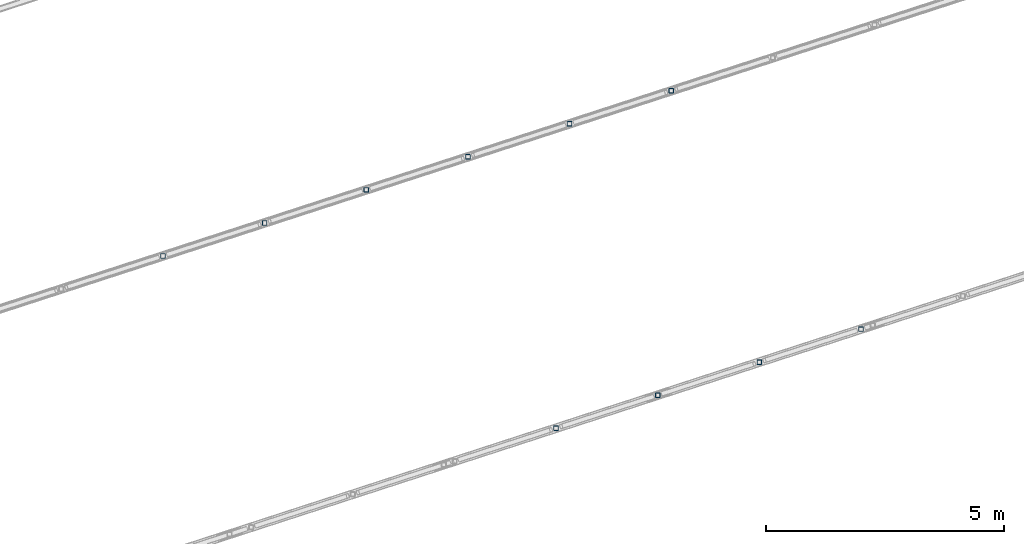
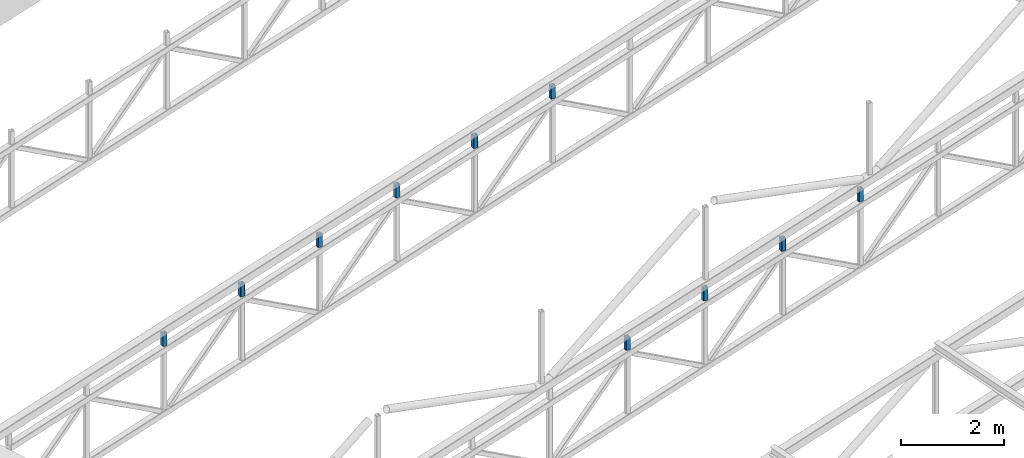
# One storey, part 58 of 81: 10 members.
"""IFC4 building model written with IfcOpenShell, lengths in metres."""

from ifc_helpers import new_model, si_unit, direction, frame, origin, origin_2d, place, context, subcontext, project, spatial, hollow_rectangle, extrude, material, material_profile, profile_set, type_object, element, save


model = new_model("IFC4")

# Units and contexts
model_context = context("Model", 3, precision=1e-05, world=origin(), true_north=direction((0.0, 1.0)))
body_context = subcontext(model_context, "Body", "Model", "MODEL_VIEW")
ifc_project = project(units=[si_unit("LENGTHUNIT", "METRE"), si_unit("AREAUNIT", "SQUARE_METRE"), si_unit("VOLUMEUNIT", "CUBIC_METRE"), si_unit("PLANEANGLEUNIT", "RADIAN"), si_unit("MASSUNIT", "GRAM", prefix="KILO")], contexts=[model_context])

# Site, building, storey
site_placement = place(None, origin())
site = spatial("IfcSite", under=ifc_project, at=site_placement, CompositionType="ELEMENT")
building_placement = place(site_placement, origin())
building = spatial("IfcBuilding", under=site, at=building_placement, Name="Tuart Plaza Theatre", CompositionType="ELEMENT")
storey_placement = place(building_placement, frame((0.0, 0.0, 17.5)))
storey = spatial("IfcBuildingStorey", under=building, at=storey_placement, Name="L04", CompositionType="ELEMENT", Elevation=17.5)

# Members
ifc_material = material(Name="Steel Grade C350L0", Category="steel")
ifc_material_profile = material_profile(ifc_material, hollow_rectangle(XDim=0.10009765625, YDim=0.10009765625, WallThickness=0.006103515625, InnerFilletRadius=0.006103515625, OuterFilletRadius=0.011962890625, at=origin_2d()), Name="100x100x6 SHS")
ifc_profile_set = profile_set([ifc_material_profile], Name="Steel Grade C350L0")
member_type = type_object("IfcMemberType", Name="MEMBER Post 100x100x6 SHS", PredefinedType="POST", material=ifc_profile_set)
for number, where, z_axis, x_axis, name in (
    (1, (58.859375, 54.341796875, 2.599365234375), (0.0, 0.0, 1.0), (1.0, 0.0, 0.0), "PO127"),
    (2, (60.997314453125, 55.036376953125, 2.599365234375), (0.0, 0.0, 1.0), (1.0, 0.0, 0.0), "PO128"),
    (3, (63.13525390625, 55.73095703125, 2.599365234375), (0.0, 0.0, 1.0), (1.0, 0.0, 0.0), "PO129"),
    (4, (65.27294921875, 56.42578125, 2.599365234375), (0.0, 0.0, 1.0), (1.0, 0.0, 0.0), "PO130"),
    (5, (50.591552734375, 57.964111328125, 3.3916015625), (0.0, 0.0, 1.0), (1.0, 0.0, 0.0), "PO150"),
    (6, (52.7294921875, 58.65869140625, 3.3916015625), (0.0, 0.0, 1.0), (1.0, 0.0, 0.0), "PO151"),
    (7, (54.867431640625, 59.353515625, 3.3916015625), (0.0, 0.0, 1.0), (1.0, 0.0, 0.0), "PO152"),
    (8, (57.00537109375, 60.048095703125, 3.3916015625), (0.0, 0.0, 1.0), (1.0, 0.0, 0.0), "PO153"),
    (9, (59.14306640625, 60.74267578125, 3.3916015625), (0.0, 0.0, 1.0), (1.0, 0.0, 0.0), "PO154"),
    (10, (61.281005859375, 61.437255859375, 3.3916015625), (0.0, 0.0, 1.0), (1.0, 0.0, 0.0), "PO155"),
):
    element("IfcMember", number, at=place(storey_placement, frame(where, z_axis=z_axis, x_axis=x_axis)), inside=storey, type_object=member_type, Name=name, PredefinedType="POST", context=body_context, shape_type="SweptSolid", body=[
        extrude(hollow_rectangle(XDim=0.10009765625, YDim=0.10009765625, WallThickness=0.006103515625, InnerFilletRadius=0.006103515625, OuterFilletRadius=0.011962890625, at=origin_2d()), origin(), (0.0, 0.0, 1.0), 0.300048828125),
    ])

save(model, "model.ifc")
